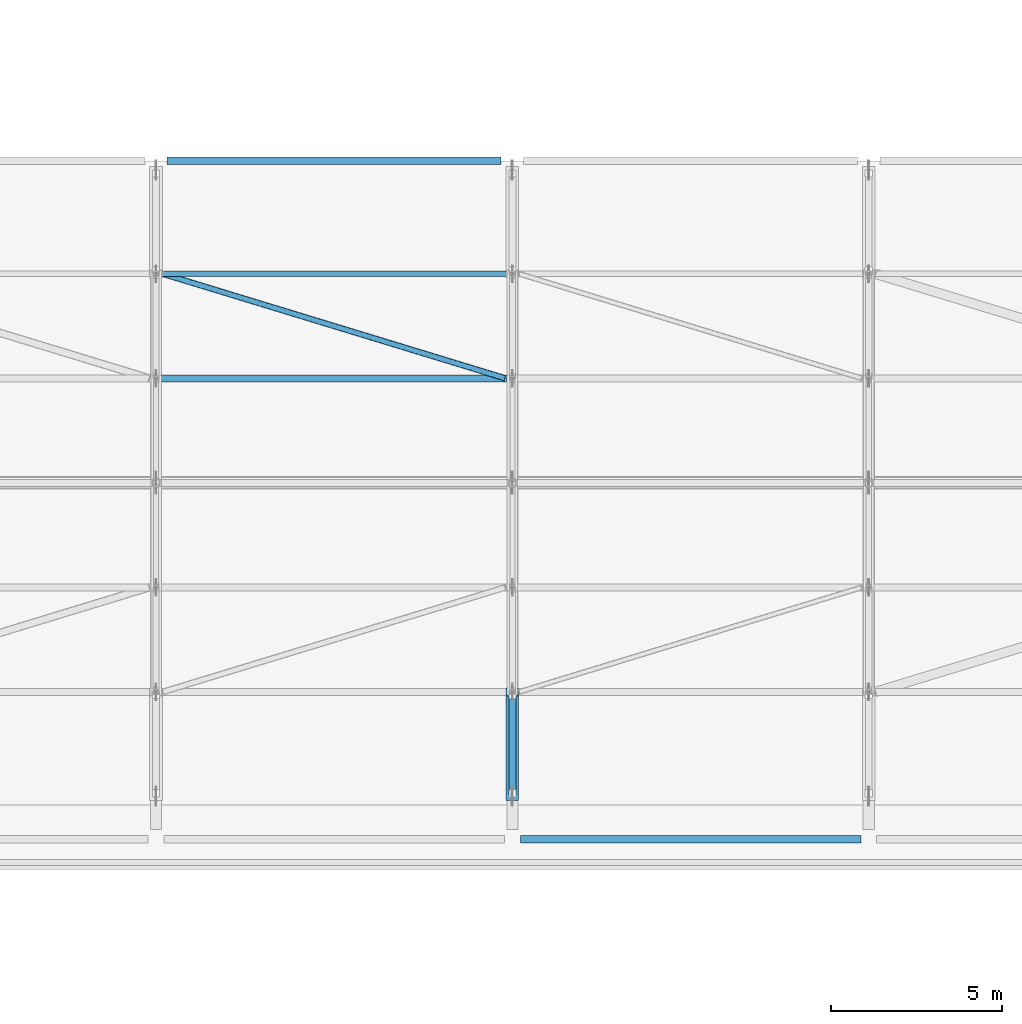
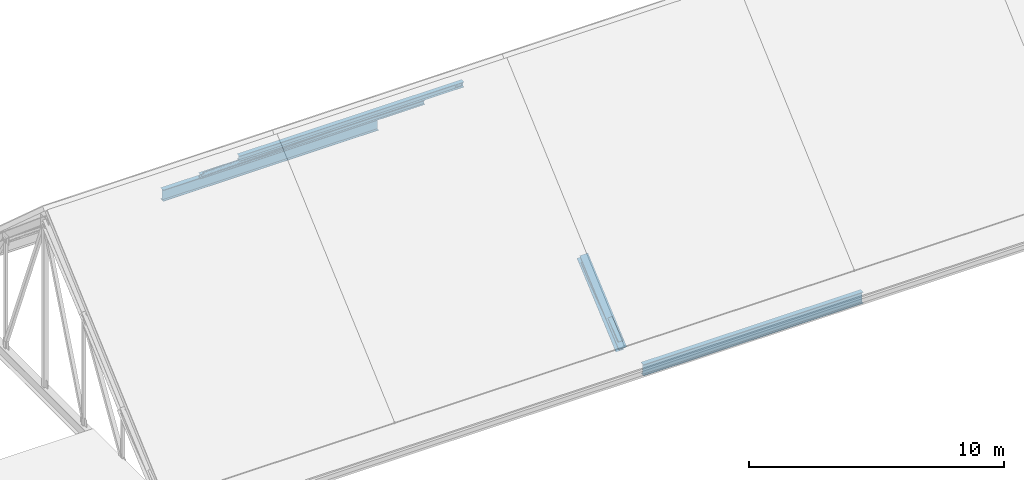
# One storey, part 17 of 86: 4 beams, 3 members.
"""IFC4 building model written with IfcOpenShell, lengths in metres."""

from ifc_helpers import new_model, si_unit, derived_unit, direction, frame, origin, origin_2d, place, context, subcontext, project, spatial, hollow_rectangle, hollow_circle, i_section, extrude, material, material_profile, profile_set, type_object, element, save


model = new_model("IFC4")

# Units and contexts
model_context = context("Model", 3, precision=1e-05, world=origin(), true_north=direction((0.0, 1.0)))
body_context = subcontext(model_context, "Body", "Model", "MODEL_VIEW")
ifc_project = project(units=[si_unit("LENGTHUNIT", "METRE"), si_unit("AREAUNIT", "SQUARE_METRE"), si_unit("VOLUMEUNIT", "CUBIC_METRE"), si_unit("PLANEANGLEUNIT", "RADIAN"), si_unit("MASSUNIT", "GRAM", prefix="KILO"), derived_unit("THERMALTRANSMITTANCEUNIT", [(si_unit("POWERUNIT", "WATT"), 1), (si_unit("LENGTHUNIT", "METRE"), -2), (si_unit("THERMODYNAMICTEMPERATUREUNIT", "KELVIN"), -1)])], contexts=[model_context])

# Site, building, storey
site_placement = place(None, origin())
site = spatial("IfcSite", under=ifc_project, at=site_placement, CompositionType="ELEMENT")
building_placement = place(site_placement, origin())
building = spatial("IfcBuilding", under=site, at=building_placement, Name="Braskholm Square Health Centre", CompositionType="ELEMENT")
storey_placement = place(building_placement, frame((0.0, 0.0, 13.5)))
storey = spatial("IfcBuildingStorey", under=building, at=storey_placement, Name="L04", CompositionType="ELEMENT", Elevation=13.5)

# Member
ifc_material_1 = material(Name="Steel ASTM A500 Grade C", Category="steel")
ifc_material_profile_1 = material_profile(ifc_material_1, hollow_circle(Radius=0.084228515625, WallThickness=0.00732421875, at=origin_2d()), Name="HSS6.625X0.312")
ifc_profile_set_1 = profile_set([ifc_material_profile_1], Name="Steel ASTM A500 Grade C")
member_type_1 = type_object("IfcMemberType", Name="RoofPlanBraceCHS168", PredefinedType="BRACE", material=ifc_profile_set_1)
member_1_placement = place(storey_placement, frame((58.199951171875, 103.699951171875, 2.402099609375), z_axis=(0.925704815743, -0.282344488845, 0.251698596995), x_axis=(0.291736758099, 0.956498648182, 0.0)))
element("IfcMember", 1, at=member_1_placement, inside=storey, type_object=member_type_1, Name="ROOF TRUSS slope brace North Bay 2", PredefinedType="BRACE", context=body_context, shape_type="SweptSolid", body=[
    extrude(hollow_circle(Radius=0.084228515625, WallThickness=0.00732421875, at=origin_2d()), origin(), (0.0, 0.0, 1.0), 10.802490234375),
])

# Beams
ifc_material_2 = material(Name="Steel ASTM A992 Grade 50", Category="steel")
ifc_material_profile_2 = material_profile(ifc_material_2, i_section(OverallWidth=0.201904296875, OverallDepth=0.2470703125, WebThickness=0.00732421875, FlangeThickness=0.010986328125, at=origin_2d()), Name="W10X33")
ifc_profile_set_2 = profile_set([ifc_material_profile_2], Name="Steel ASTM A992 Grade 50")
beam_type_1 = type_object("IfcBeamType", Name="RoofPurlinJoistW10X33", PredefinedType="JOIST", material=ifc_profile_set_2)
beam_1_placement = place(storey_placement, frame((58.1201171875, 100.64990234375, 5.12109375), z_axis=(1.0, 0.0, 0.0), x_axis=(0.0, 1.0, 0.0)))
element("IfcBeam", 2, at=beam_1_placement, inside=storey, type_object=beam_type_1, Name="ROOF TRUSS purlin joist 009", PredefinedType="JOIST", context=body_context, shape_type="SweptSolid", body=[
    extrude(i_section(OverallWidth=0.201904296875, OverallDepth=0.2470703125, WebThickness=0.00732421875, FlangeThickness=0.010986328125, at=origin_2d()), origin(), (0.0, 0.0, 1.0), 10.159912109375),
])
ifc_material_profile_3 = material_profile(ifc_material_2, i_section(OverallWidth=0.1650390625, OverallDepth=0.200927734375, WebThickness=0.006103515625, FlangeThickness=0.01025390625, at=origin_2d()), Name="W8X24")
ifc_profile_set_3 = profile_set([ifc_material_profile_3], Name="Steel ASTM A992 Grade 50")
beam_type_2 = type_object("IfcBeamType", Name="RoofPurlinJoistW8X24", PredefinedType="JOIST", material=ifc_profile_set_3)
beam_2_placement = place(storey_placement, frame((58.1201171875, 103.699951171875, 2.402099609375), z_axis=(1.0, 0.0, 0.0), x_axis=(0.0, 1.0, 0.0)))
element("IfcBeam", 3, at=beam_2_placement, inside=storey, type_object=beam_type_2, Name="ROOF TRUSS purlin joist 010", PredefinedType="JOIST", context=body_context, shape_type="SweptSolid", body=[
    extrude(i_section(OverallWidth=0.1650390625, OverallDepth=0.200927734375, WebThickness=0.006103515625, FlangeThickness=0.01025390625, at=origin_2d()), origin(), (0.0, 0.0, 1.0), 10.159912109375),
])
ifc_material_profile_4 = material_profile(ifc_material_2, i_section(OverallWidth=0.2119140625, OverallDepth=0.5439453125, WebThickness=0.01318359375, FlangeThickness=0.021240234375, at=origin_2d()), Name="W21X83")
ifc_profile_set_4 = profile_set([ifc_material_profile_4], Name="Steel ASTM A992 Grade 50")
beam_type_3 = type_object("IfcBeamType", Name="SteelGirderEaveW21X83", PredefinedType="BEAM", material=ifc_profile_set_4)
beam_3_placement = place(storey_placement, frame((68.6298828125, 87.199951171875, -0.52197265625), z_axis=(1.0, 0.0, 0.0), x_axis=(0.0, 1.0, 0.0)))
element("IfcBeam", 4, at=beam_3_placement, inside=storey, type_object=beam_type_3, Name="Beam 10-11/N L04", PredefinedType="BEAM", context=body_context, shape_type="SweptSolid", body=[
    extrude(i_section(OverallWidth=0.2119140625, OverallDepth=0.5439453125, WebThickness=0.01318359375, FlangeThickness=0.021240234375, at=origin_2d()), origin(), (0.0, 0.0, 1.0), 9.940185546875),
])
beam_4_placement = place(storey_placement, frame((58.324951171875, 107.0, -0.572021484375), z_axis=(1.0, 0.0, 0.0), x_axis=(0.0, 1.0, 0.0)))
element("IfcBeam", 5, at=beam_4_placement, inside=storey, type_object=beam_type_3, Name="Beam 9-10/R L04", PredefinedType="BEAM", context=body_context, shape_type="SweptSolid", body=[
    extrude(i_section(OverallWidth=0.2119140625, OverallDepth=0.5439453125, WebThickness=0.01318359375, FlangeThickness=0.021240234375, at=origin_2d()), origin(), (0.0, 0.0, 1.0), 9.75),
])

# Members
ifc_material_profile_5 = material_profile(ifc_material_1, hollow_rectangle(XDim=0.203125, YDim=0.203125, WallThickness=0.01171875, at=origin_2d()), Name="HSS8X8X1/2")
ifc_profile_set_5 = profile_set([ifc_material_profile_5], Name="Steel ASTM A500 Grade C")
member_type_2 = type_object("IfcMemberType", Name="TrussOuterDiagHSS8X8X12", PredefinedType="BRACE", material=ifc_profile_set_5)
member_2_placement = place(storey_placement, frame((68.39990234375, 88.5458984375, 0.031005859375), z_axis=(0.0, 0.803191214474, 0.595721304799), x_axis=(-1.0, 0.0, 0.0)))
element("IfcMember", 6, at=member_2_placement, inside=storey, type_object=member_type_2, Name="ROOF TRUSS diagonal web TR-03-D1", PredefinedType="BRACE", context=body_context, shape_type="SweptSolid", body=[
    extrude(hollow_rectangle(XDim=0.203125, YDim=0.203125, WallThickness=0.01171875, at=origin_2d()), origin(), (0.0, 0.0, 1.0), 3.55859375),
])
ifc_material_profile_6 = material_profile(ifc_material_2, i_section(OverallWidth=0.368896484375, OverallDepth=0.35595703125, WebThickness=0.01123046875, FlangeThickness=0.01806640625, at=origin_2d()), Name="W14X90")
ifc_profile_set_6 = profile_set([ifc_material_profile_6], Name="Steel ASTM A992 Grade 50")
member_type_3 = type_object("IfcMemberType", Name="TrussTopChordW14X90", PredefinedType="CHORD", material=ifc_profile_set_6)
member_3_placement = place(storey_placement, frame((68.39990234375, 88.449951171875, -0.260009765625), z_axis=(0.0, 0.755846764348, 0.654748553892), x_axis=(-1.0, 0.0, 0.0)))
element("IfcMember", 7, at=member_3_placement, inside=storey, type_object=member_type_3, Name="ROOF TRUSS top chord TR-03-1", PredefinedType="CHORD", context=body_context, shape_type="SweptSolid", body=[
    extrude(i_section(OverallWidth=0.368896484375, OverallDepth=0.35595703125, WebThickness=0.01123046875, FlangeThickness=0.01806640625, at=origin_2d()), origin(), (0.0, 0.0, 1.0), 4.03515625),
])

save(model, "model.ifc")
